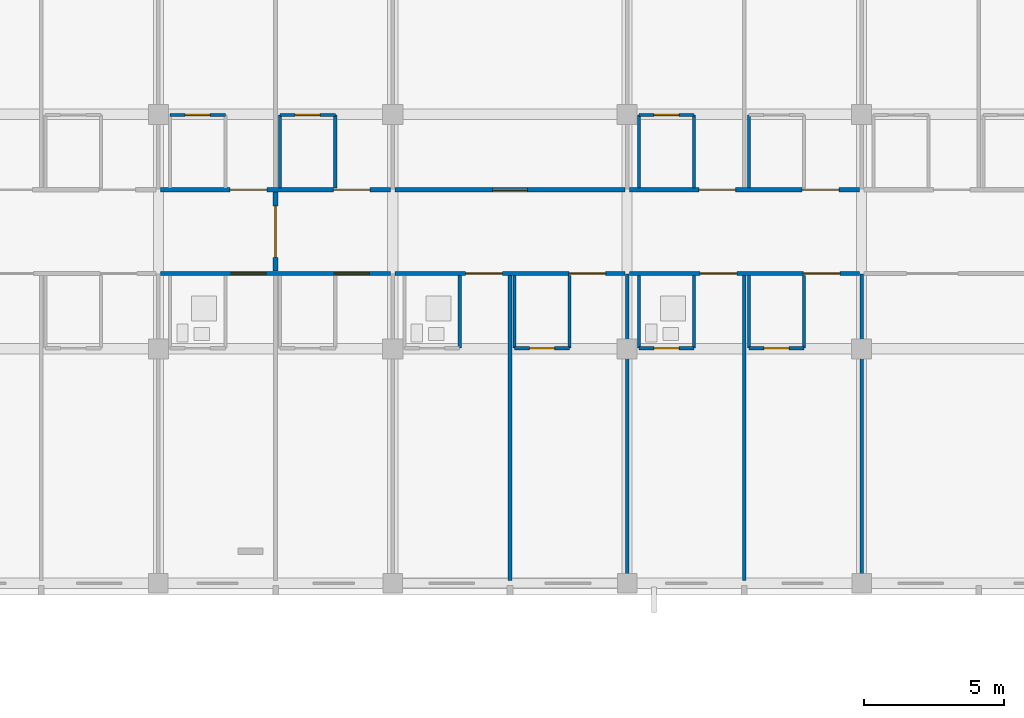
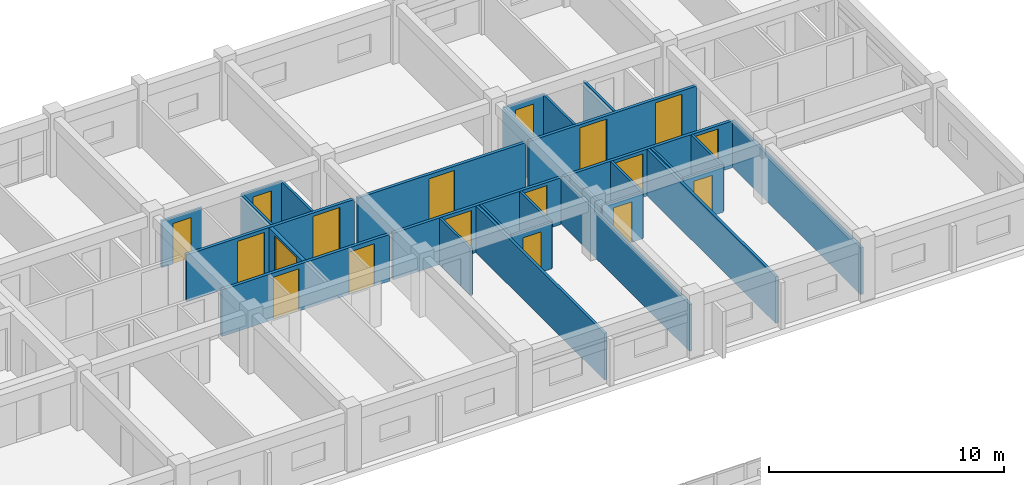
# One storey, part 129 of 148: 29 walls, 18 doors, 18 openings.
"""IFC4 building model written with IfcOpenShell, lengths in metres."""

from ifc_helpers import new_model, si_unit, direction, frame, frame_2d, origin, place, context, subcontext, project, spatial, rectangle, extrude, material, layer, layer_set, type_object, element, fill, save


model = new_model("IFC4")

# Units and contexts
model_context = context("Model", 3, precision=1e-05, world=origin(), true_north=direction((0.0, 1.0)))
body_context = subcontext(model_context, "Body", "Model", "MODEL_VIEW")
ifc_project = project(units=[si_unit("LENGTHUNIT", "METRE"), si_unit("AREAUNIT", "SQUARE_METRE"), si_unit("VOLUMEUNIT", "CUBIC_METRE"), si_unit("PLANEANGLEUNIT", "RADIAN"), si_unit("MASSUNIT", "GRAM", prefix="KILO")], contexts=[model_context])

# Site, building, storey
site_placement = place(None, origin())
site = spatial("IfcSite", under=ifc_project, at=site_placement, CompositionType="ELEMENT")
building_placement = place(site_placement, origin())
building = spatial("IfcBuilding", under=site, at=building_placement, Name="Trelvath General Hospital", CompositionType="ELEMENT")
storey_placement = place(building_placement, frame((0.0, 0.0, 12.89990234375)))
storey = spatial("IfcBuildingStorey", under=building, at=storey_placement, Name="L03", CompositionType="ELEMENT", Elevation=12.89990234375)

# Wall, openings, doors
ifc_material_1 = material(Name="Gypsum acoustic steel-stud partition", Category="steel")
ifc_layer_1 = layer(ifc_material_1, 0.14990234375)
ifc_layer_set_1 = layer_set([ifc_layer_1], Name="Gypsum acoustic steel-stud partition")
wall_type_1 = type_object("IfcWallType", Name="ClinicalPartition 150", PredefinedType="PARTITIONING", material=ifc_layer_set_1)
wall_1_placement = place(storey_placement, frame((100.8798828125, 103.5, 0.0), z_axis=(0.0, 0.0, 1.0), x_axis=(1.0, 0.0, 0.0)))
wall_1 = element("IfcWall", 1, at=wall_1_placement, inside=storey, type_object=wall_type_1, Name="Corridor Partition L03-1340", PredefinedType="PARTITIONING", context=body_context, shape_type="SweptSolid", body=[
    extrude(rectangle(XDim=8.240234375, YDim=0.14990234375, at=frame_2d((4.1201171875, 0.0))), origin(), (0.0, 0.0, 1.0), 2.420166015625),
])
opening_1_placement = place(wall_1_placement, frame((2.530029296875, 0.0, 0.0)))
opening_1 = element("IfcOpeningElement", 2, at=opening_1_placement, cuts=wall_1, Name="Opening D-3-0956", PredefinedType="OPENING", context=body_context, shape_type="SweptSolid", body=[
    extrude(rectangle(XDim=1.25, YDim=2.199951171875, at=frame_2d((0.625, 1.10009765625))), frame((0.0, 0.0849609375, 0.0), z_axis=(0.0, -1.0, 0.0), x_axis=(1.0, 0.0, 0.0)), (0.0, 0.0, 1.0), 0.169921875),
])
opening_2_placement = place(wall_1_placement, frame((6.22998046875, 0.0, 0.0)))
opening_2 = element("IfcOpeningElement", 3, at=opening_2_placement, cuts=wall_1, Name="Opening D-3-0957", PredefinedType="OPENING", context=body_context, shape_type="SweptSolid", body=[
    extrude(rectangle(XDim=1.25, YDim=2.199951171875, at=frame_2d((0.625, 1.10009765625))), frame((0.0, 0.0849609375, 0.0), z_axis=(0.0, -1.0, 0.0), x_axis=(1.0, 0.0, 0.0)), (0.0, 0.0, 1.0), 0.169921875),
])
ifc_material_2 = material(Name="Acoustic hospital timber leaf", Category="wood")
door_type_1 = type_object("IfcDoorType", Name="Door Treatment 1250x2200", OperationType="NOTDEFINED", PredefinedType="DOOR", material=ifc_material_2)
door_1_placement = place(opening_1_placement, origin())
door_1 = element("IfcDoor", 4, at=door_1_placement, inside=storey, type_object=door_type_1, Name="Patient Room Door L03-956", OperationType="SINGLE_SWING_LEFT", OverallHeight=2.199951171875, OverallWidth=1.25, PredefinedType="DOOR", context=body_context, shape_type="SweptSolid", body=[
    extrude(rectangle(XDim=1.25, YDim=2.199951171875, at=frame_2d((0.625, 1.10009765625))), frame((0.0, 0.02490234375, 0.0), z_axis=(0.0, -1.0, 0.0), x_axis=(1.0, 0.0, 0.0)), (0.0, 0.0, 1.0), 0.050048828125),
])
fill(opening_1, door_1)
door_2_placement = place(opening_2_placement, origin())
door_2 = element("IfcDoor", 5, at=door_2_placement, inside=storey, type_object=door_type_1, Name="Patient Room Door L03-957", OperationType="SINGLE_SWING_RIGHT", OverallHeight=2.199951171875, OverallWidth=1.25, PredefinedType="DOOR", context=body_context, shape_type="SweptSolid", body=[
    extrude(rectangle(XDim=1.25, YDim=2.199951171875, at=frame_2d((0.625, 1.10009765625))), frame((0.0, 0.02490234375, 0.0), z_axis=(0.0, -1.0, 0.0), x_axis=(1.0, 0.0, 0.0)), (0.0, 0.0, 1.0), 0.050048828125),
])
fill(opening_2, door_2)

wall_2_placement = place(storey_placement, frame((109.1201171875, 106.5, 0.0), z_axis=(0.0, 0.0, 1.0), x_axis=(-1.0, 0.0, 0.0)))
wall_2 = element("IfcWall", 6, at=wall_2_placement, inside=storey, type_object=wall_type_1, Name="Corridor Partition N L03-1349", PredefinedType="PARTITIONING", context=body_context, shape_type="SweptSolid", body=[
    extrude(rectangle(XDim=8.240234375, YDim=0.14990234375, at=frame_2d((4.1201171875, 0.0))), origin(), (0.0, 0.0, 1.0), 2.420166015625),
])
opening_3_placement = place(wall_2_placement, frame((0.72998046875, 0.0, 0.0)))
opening_3 = element("IfcOpeningElement", 7, at=opening_3_placement, cuts=wall_2, Name="Opening D-3-0960", PredefinedType="OPENING", context=body_context, shape_type="SweptSolid", body=[
    extrude(rectangle(XDim=1.320068359375, YDim=2.25, at=frame_2d((0.66015625, 1.125))), frame((0.0, 0.0849609375, 0.0), z_axis=(0.0, -1.0, 0.0), x_axis=(1.0, 0.0, 0.0)), (0.0, 0.0, 1.0), 0.169921875),
])
opening_4_placement = place(wall_2_placement, frame((4.429931640625, 0.0, 0.0)))
opening_4 = element("IfcOpeningElement", 8, at=opening_4_placement, cuts=wall_2, Name="Opening D-3-0961", PredefinedType="OPENING", context=body_context, shape_type="SweptSolid", body=[
    extrude(rectangle(XDim=1.320068359375, YDim=2.25, at=frame_2d((0.66015625, 1.125))), frame((0.0, 0.0849609375, 0.0), z_axis=(0.0, -1.0, 0.0), x_axis=(1.0, 0.0, 0.0)), (0.0, 0.0, 1.0), 0.169921875),
])
ifc_material_3 = material(Name="Maternity bed-leaf timber door", Category="wood")
door_type_2 = type_object("IfcDoorType", Name="Door PatientMaternity 1320x2250", OperationType="NOTDEFINED", PredefinedType="DOOR", material=ifc_material_3)
door_3_placement = place(opening_3_placement, origin())
door_3 = element("IfcDoor", 9, at=door_3_placement, inside=storey, type_object=door_type_2, Name="Patient Room Door N L03-960", OperationType="SINGLE_SWING_LEFT", OverallHeight=2.25, OverallWidth=1.320068359375, PredefinedType="DOOR", context=body_context, shape_type="SweptSolid", body=[
    extrude(rectangle(XDim=1.320068359375, YDim=2.25, at=frame_2d((0.66015625, 1.125))), frame((0.0, 0.02490234375, 0.0), z_axis=(0.0, -1.0, 0.0), x_axis=(1.0, 0.0, 0.0)), (0.0, 0.0, 1.0), 0.050048828125),
])
fill(opening_3, door_3)
door_4_placement = place(opening_4_placement, origin())
door_4 = element("IfcDoor", 10, at=door_4_placement, inside=storey, type_object=door_type_2, Name="Patient Room Door N L03-961", OperationType="SINGLE_SWING_LEFT", OverallHeight=2.25, OverallWidth=1.320068359375, PredefinedType="DOOR", context=body_context, shape_type="SweptSolid", body=[
    extrude(rectangle(XDim=1.320068359375, YDim=2.25, at=frame_2d((0.66015625, 1.125))), frame((0.0, 0.02490234375, 0.0), z_axis=(0.0, -1.0, 0.0), x_axis=(1.0, 0.0, 0.0)), (0.0, 0.0, 1.0), 0.050048828125),
])
fill(opening_4, door_4)

wall_3_placement = place(storey_placement, frame((109.280029296875, 103.5, 0.0), z_axis=(0.0, 0.0, 1.0), x_axis=(1.0, 0.0, 0.0)))
wall_3 = element("IfcWall", 11, at=wall_3_placement, inside=storey, type_object=wall_type_1, Name="Corridor Partition L03-1360", PredefinedType="PARTITIONING", context=body_context, shape_type="SweptSolid", body=[
    extrude(rectangle(XDim=8.239990234375, YDim=0.14990234375, at=frame_2d((4.1201171875, 0.0))), origin(), (0.0, 0.0, 1.0), 2.420166015625),
])
opening_5_placement = place(wall_3_placement, frame((2.530029296875, 0.0, 0.0)))
opening_5 = element("IfcOpeningElement", 12, at=opening_5_placement, cuts=wall_3, Name="Opening D-3-0965", PredefinedType="OPENING", context=body_context, shape_type="SweptSolid", body=[
    extrude(rectangle(XDim=1.320068359375, YDim=2.25, at=frame_2d((0.66015625, 1.125))), frame((0.0, 0.0849609375, 0.0), z_axis=(0.0, -1.0, 0.0), x_axis=(1.0, 0.0, 0.0)), (0.0, 0.0, 1.0), 0.169921875),
])
opening_6_placement = place(wall_3_placement, frame((6.22998046875, 0.0, 0.0)))
opening_6 = element("IfcOpeningElement", 13, at=opening_6_placement, cuts=wall_3, Name="Opening D-3-0966", PredefinedType="OPENING", context=body_context, shape_type="SweptSolid", body=[
    extrude(rectangle(XDim=1.320068359375, YDim=2.25, at=frame_2d((0.66015625, 1.125))), frame((0.0, 0.0849609375, 0.0), z_axis=(0.0, -1.0, 0.0), x_axis=(1.0, 0.0, 0.0)), (0.0, 0.0, 1.0), 0.169921875),
])
door_5_placement = place(opening_5_placement, origin())
door_5 = element("IfcDoor", 14, at=door_5_placement, inside=storey, type_object=door_type_2, Name="Patient Room Door L03-965", OperationType="SINGLE_SWING_RIGHT", OverallHeight=2.25, OverallWidth=1.320068359375, PredefinedType="DOOR", context=body_context, shape_type="SweptSolid", body=[
    extrude(rectangle(XDim=1.320068359375, YDim=2.25, at=frame_2d((0.66015625, 1.125))), frame((0.0, 0.02490234375, 0.0), z_axis=(0.0, -1.0, 0.0), x_axis=(1.0, 0.0, 0.0)), (0.0, 0.0, 1.0), 0.050048828125),
])
fill(opening_5, door_5)
door_6_placement = place(opening_6_placement, origin())
door_6 = element("IfcDoor", 15, at=door_6_placement, inside=storey, type_object=door_type_2, Name="Patient Room Door L03-966", OperationType="SINGLE_SWING_LEFT", OverallHeight=2.25, OverallWidth=1.320068359375, PredefinedType="DOOR", context=body_context, shape_type="SweptSolid", body=[
    extrude(rectangle(XDim=1.320068359375, YDim=2.25, at=frame_2d((0.66015625, 1.125))), frame((0.0, 0.02490234375, 0.0), z_axis=(0.0, -1.0, 0.0), x_axis=(1.0, 0.0, 0.0)), (0.0, 0.0, 1.0), 0.050048828125),
])
fill(opening_6, door_6)

# Wall, opening, door
wall_4_placement = place(storey_placement, frame((117.52001953125, 106.5, 0.0), z_axis=(0.0, 0.0, 1.0), x_axis=(-1.0, 0.0, 0.0)))
wall_4 = element("IfcWall", 16, at=wall_4_placement, inside=storey, type_object=wall_type_1, Name="Corridor Partition N L03-1368", PredefinedType="PARTITIONING", context=body_context, shape_type="SweptSolid", body=[
    extrude(rectangle(XDim=8.239990234375, YDim=0.14990234375, at=frame_2d((4.1201171875, 0.0))), origin(), (0.0, 0.0, 1.0), 2.420166015625),
])
opening_7_placement = place(wall_4_placement, frame((3.4951171875, 0.0, 0.0)))
opening_7 = element("IfcOpeningElement", 17, at=opening_7_placement, cuts=wall_4, Name="Opening D-3-0969", PredefinedType="OPENING", context=body_context, shape_type="SweptSolid", body=[
    extrude(rectangle(XDim=1.25, YDim=2.199951171875, at=frame_2d((0.625, 1.10009765625))), frame((0.0, 0.0849609375, 0.0), z_axis=(0.0, -1.0, 0.0), x_axis=(1.0, 0.0, 0.0)), (0.0, 0.0, 1.0), 0.169921875),
])
door_7_placement = place(opening_7_placement, origin())
door_7 = element("IfcDoor", 18, at=door_7_placement, inside=storey, type_object=door_type_1, Name="Clinical Room Door L03-969", OperationType="SINGLE_SWING_RIGHT", OverallHeight=2.199951171875, OverallWidth=1.25, PredefinedType="DOOR", context=body_context, shape_type="SweptSolid", body=[
    extrude(rectangle(XDim=1.25, YDim=2.199951171875, at=frame_2d((0.625, 1.10009765625))), frame((0.0, 0.02490234375, 0.0), z_axis=(0.0, -1.0, 0.0), x_axis=(1.0, 0.0, 0.0)), (0.0, 0.0, 1.0), 0.050048828125),
])
fill(opening_7, door_7)

# Wall, openings, doors
wall_5_placement = place(storey_placement, frame((117.679931640625, 103.5, 0.0), z_axis=(0.0, 0.0, 1.0), x_axis=(1.0, 0.0, 0.0)))
wall_5 = element("IfcWall", 19, at=wall_5_placement, inside=storey, type_object=wall_type_1, Name="Corridor Partition L03-1371", PredefinedType="PARTITIONING", context=body_context, shape_type="SweptSolid", body=[
    extrude(rectangle(XDim=8.239990234375, YDim=0.14990234375, at=frame_2d((4.1201171875, 0.0))), origin(), (0.0, 0.0, 1.0), 2.420166015625),
])
opening_8_placement = place(wall_5_placement, frame((2.530029296875, 0.0, 0.0)))
opening_8 = element("IfcOpeningElement", 20, at=opening_8_placement, cuts=wall_5, Name="Opening D-3-0970", PredefinedType="OPENING", context=body_context, shape_type="SweptSolid", body=[
    extrude(rectangle(XDim=1.320068359375, YDim=2.25, at=frame_2d((0.66015625, 1.125))), frame((0.0, 0.0849609375, 0.0), z_axis=(0.0, -1.0, 0.0), x_axis=(1.0, 0.0, 0.0)), (0.0, 0.0, 1.0), 0.169921875),
])
opening_9_placement = place(wall_5_placement, frame((6.22998046875, 0.0, 0.0)))
opening_9 = element("IfcOpeningElement", 21, at=opening_9_placement, cuts=wall_5, Name="Opening D-3-0971", PredefinedType="OPENING", context=body_context, shape_type="SweptSolid", body=[
    extrude(rectangle(XDim=1.320068359375, YDim=2.25, at=frame_2d((0.66015625, 1.125))), frame((0.0, 0.0849609375, 0.0), z_axis=(0.0, -1.0, 0.0), x_axis=(1.0, 0.0, 0.0)), (0.0, 0.0, 1.0), 0.169921875),
])
door_8_placement = place(opening_8_placement, origin())
door_8 = element("IfcDoor", 22, at=door_8_placement, inside=storey, type_object=door_type_2, Name="Patient Room Door L03-970", OperationType="SINGLE_SWING_LEFT", OverallHeight=2.25, OverallWidth=1.320068359375, PredefinedType="DOOR", context=body_context, shape_type="SweptSolid", body=[
    extrude(rectangle(XDim=1.320068359375, YDim=2.25, at=frame_2d((0.66015625, 1.125))), frame((0.0, 0.02490234375, 0.0), z_axis=(0.0, -1.0, 0.0), x_axis=(1.0, 0.0, 0.0)), (0.0, 0.0, 1.0), 0.050048828125),
])
fill(opening_8, door_8)
door_9_placement = place(opening_9_placement, origin())
door_9 = element("IfcDoor", 23, at=door_9_placement, inside=storey, type_object=door_type_2, Name="Patient Room Door L03-971", OperationType="SINGLE_SWING_RIGHT", OverallHeight=2.25, OverallWidth=1.320068359375, PredefinedType="DOOR", context=body_context, shape_type="SweptSolid", body=[
    extrude(rectangle(XDim=1.320068359375, YDim=2.25, at=frame_2d((0.66015625, 1.125))), frame((0.0, 0.02490234375, 0.0), z_axis=(0.0, -1.0, 0.0), x_axis=(1.0, 0.0, 0.0)), (0.0, 0.0, 1.0), 0.050048828125),
])
fill(opening_9, door_9)

wall_6_placement = place(storey_placement, frame((125.919921875, 106.5, 0.0), z_axis=(0.0, 0.0, 1.0), x_axis=(-1.0, 0.0, 0.0)))
wall_6 = element("IfcWall", 24, at=wall_6_placement, inside=storey, type_object=wall_type_1, Name="Corridor Partition N L03-1379", PredefinedType="PARTITIONING", context=body_context, shape_type="SweptSolid", body=[
    extrude(rectangle(XDim=8.239990234375, YDim=0.14990234375, at=frame_2d((4.1201171875, 0.0))), origin(), (0.0, 0.0, 1.0), 2.420166015625),
])
opening_10_placement = place(wall_6_placement, frame((0.72998046875, 0.0, 0.0)))
opening_10 = element("IfcOpeningElement", 25, at=opening_10_placement, cuts=wall_6, Name="Opening D-3-0974", PredefinedType="OPENING", context=body_context, shape_type="SweptSolid", body=[
    extrude(rectangle(XDim=1.320068359375, YDim=2.25, at=frame_2d((0.66015625, 1.125))), frame((0.0, 0.0849609375, 0.0), z_axis=(0.0, -1.0, 0.0), x_axis=(1.0, 0.0, 0.0)), (0.0, 0.0, 1.0), 0.169921875),
])
opening_11_placement = place(wall_6_placement, frame((4.429931640625, 0.0, 0.0)))
opening_11 = element("IfcOpeningElement", 26, at=opening_11_placement, cuts=wall_6, Name="Opening D-3-0975", PredefinedType="OPENING", context=body_context, shape_type="SweptSolid", body=[
    extrude(rectangle(XDim=1.320068359375, YDim=2.25, at=frame_2d((0.66015625, 1.125))), frame((0.0, 0.0849609375, 0.0), z_axis=(0.0, -1.0, 0.0), x_axis=(1.0, 0.0, 0.0)), (0.0, 0.0, 1.0), 0.169921875),
])
door_10_placement = place(opening_10_placement, origin())
door_10 = element("IfcDoor", 27, at=door_10_placement, inside=storey, type_object=door_type_2, Name="Patient Room Door N L03-974", OperationType="SINGLE_SWING_LEFT", OverallHeight=2.25, OverallWidth=1.320068359375, PredefinedType="DOOR", context=body_context, shape_type="SweptSolid", body=[
    extrude(rectangle(XDim=1.320068359375, YDim=2.25, at=frame_2d((0.66015625, 1.125))), frame((0.0, 0.02490234375, 0.0), z_axis=(0.0, -1.0, 0.0), x_axis=(1.0, 0.0, 0.0)), (0.0, 0.0, 1.0), 0.050048828125),
])
fill(opening_10, door_10)
door_11_placement = place(opening_11_placement, origin())
door_11 = element("IfcDoor", 28, at=door_11_placement, inside=storey, type_object=door_type_2, Name="Patient Room Door N L03-975", OperationType="SINGLE_SWING_LEFT", OverallHeight=2.25, OverallWidth=1.320068359375, PredefinedType="DOOR", context=body_context, shape_type="SweptSolid", body=[
    extrude(rectangle(XDim=1.320068359375, YDim=2.25, at=frame_2d((0.66015625, 1.125))), frame((0.0, 0.02490234375, 0.0), z_axis=(0.0, -1.0, 0.0), x_axis=(1.0, 0.0, 0.0)), (0.0, 0.0, 1.0), 0.050048828125),
])
fill(opening_11, door_11)

# Wall, opening, door
ifc_material_4 = material(Name="Moisture-resistant tile partition")
ifc_layer_2 = layer(ifc_material_4, 0.110107421875)
ifc_layer_set_2 = layer_set([ifc_layer_2], Name="Moisture-resistant tile partition")
wall_type_2 = type_object("IfcWallType", Name="EnSuiteWetWall 110", PredefinedType="PARTITIONING", material=ifc_layer_set_2)
wall_7_placement = place(storey_placement, frame((101.219970703125, 109.179931640625, 0.0), z_axis=(0.0, 0.0, 1.0), x_axis=(1.0, 0.0, 0.0)))
wall_7 = element("IfcWall", 29, at=wall_7_placement, inside=storey, type_object=wall_type_2, Name="En-Suite Bathroom N Partition L03-1353", PredefinedType="PARTITIONING", context=body_context, shape_type="SweptSolid", body=[
    extrude(rectangle(XDim=1.97998046875, YDim=0.110107421875, at=frame_2d((0.989990234375, 0.0))), origin(), (0.0, 0.0, 1.0), 2.420166015625),
])
opening_12_placement = place(wall_7_placement, frame((0.5400390625, 0.0, 0.0)))
opening_12 = element("IfcOpeningElement", 30, at=opening_12_placement, cuts=wall_7, Name="Opening D-3-0962", PredefinedType="OPENING", context=body_context, shape_type="SweptSolid", body=[
    extrude(rectangle(XDim=0.89990234375, YDim=2.10009765625, at=frame_2d((0.449951171875, 1.050048828125))), frame((0.0, 0.06494140625, 0.0), z_axis=(0.0, -1.0, 0.0), x_axis=(1.0, 0.0, 0.0)), (0.0, 0.0, 1.0), 0.130126953125),
])
ifc_material_5 = material(Name="Moisture-sealed timber leaf", Category="wood")
door_type_3 = type_object("IfcDoorType", Name="Door EnSuite 900x2100", OperationType="NOTDEFINED", PredefinedType="DOOR", material=ifc_material_5)
door_12_placement = place(opening_12_placement, origin())
door_12 = element("IfcDoor", 31, at=door_12_placement, inside=storey, type_object=door_type_3, Name="En-Suite Bathroom N Door L03-962", OperationType="SINGLE_SWING_RIGHT", OverallHeight=2.10009765625, OverallWidth=0.89990234375, PredefinedType="DOOR", context=body_context, shape_type="SweptSolid", body=[
    extrude(rectangle(XDim=0.89990234375, YDim=2.10009765625, at=frame_2d((0.449951171875, 1.050048828125))), frame((0.0, 0.02490234375, 0.0), z_axis=(0.0, -1.0, 0.0), x_axis=(1.0, 0.0, 0.0)), (0.0, 0.0, 1.0), 0.050048828125),
])
fill(opening_12, door_12)

# Walls
for number, where, z_axis, x_axis, name in (
    (32, (105.159912109375, 106.570068359375, 0.0), (0.0, 0.0, 1.0), (0.0, 1.0, 0.0), "En-Suite W Wall N L03-1354"),
    (33, (107.139892578125, 106.570068359375, 0.0), (0.0, 0.0, 1.0), (0.0, 1.0, 0.0), "En-Suite E Wall N L03-1355"),
):
    element("IfcWall", number, at=place(storey_placement, frame(where, z_axis=z_axis, x_axis=x_axis)), inside=storey, type_object=wall_type_2, Name=name, PredefinedType="PARTITIONING", context=body_context, shape_type="SweptSolid", body=[
        extrude(rectangle(XDim=2.60986328125, YDim=0.110107421875, at=frame_2d((1.304931640625, 0.0))), origin(), (0.0, 0.0, 1.0), 2.420166015625),
    ])

# Wall, opening, door
wall_8_placement = place(storey_placement, frame((105.159912109375, 109.179931640625, 0.0), z_axis=(0.0, 0.0, 1.0), x_axis=(1.0, 0.0, 0.0)))
wall_8 = element("IfcWall", 34, at=wall_8_placement, inside=storey, type_object=wall_type_2, Name="En-Suite Bathroom N Partition L03-1356", PredefinedType="PARTITIONING", context=body_context, shape_type="SweptSolid", body=[
    extrude(rectangle(XDim=1.97998046875, YDim=0.110107421875, at=frame_2d((0.989990234375, 0.0))), origin(), (0.0, 0.0, 1.0), 2.420166015625),
])
opening_13_placement = place(wall_8_placement, frame((0.5400390625, 0.0, 0.0)))
opening_13 = element("IfcOpeningElement", 35, at=opening_13_placement, cuts=wall_8, Name="Opening D-3-0963", PredefinedType="OPENING", context=body_context, shape_type="SweptSolid", body=[
    extrude(rectangle(XDim=0.89990234375, YDim=2.10009765625, at=frame_2d((0.449951171875, 1.050048828125))), frame((0.0, 0.06494140625, 0.0), z_axis=(0.0, -1.0, 0.0), x_axis=(1.0, 0.0, 0.0)), (0.0, 0.0, 1.0), 0.130126953125),
])
door_13_placement = place(opening_13_placement, origin())
door_13 = element("IfcDoor", 36, at=door_13_placement, inside=storey, type_object=door_type_3, Name="En-Suite Bathroom N Door L03-963", OperationType="SINGLE_SWING_LEFT", OverallHeight=2.10009765625, OverallWidth=0.89990234375, PredefinedType="DOOR", context=body_context, shape_type="SweptSolid", body=[
    extrude(rectangle(XDim=0.89990234375, YDim=2.10009765625, at=frame_2d((0.449951171875, 1.050048828125))), frame((0.0, 0.02490234375, 0.0), z_axis=(0.0, -1.0, 0.0), x_axis=(1.0, 0.0, 0.0)), (0.0, 0.0, 1.0), 0.050048828125),
])
fill(opening_13, door_13)

# Walls
for number, where, z_axis, x_axis, name in (
    (37, (111.60009765625, 100.820068359375, 0.0), (0.0, 0.0, 1.0), (0.0, 1.0, 0.0), "En-Suite E Wall L03-1363"),
    (38, (113.56005859375, 100.820068359375, 0.0), (0.0, 0.0, 1.0), (0.0, 1.0, 0.0), "En-Suite W Wall L03-1365"),
    (39, (115.5400390625, 100.820068359375, 0.0), (0.0, 0.0, 1.0), (0.0, 1.0, 0.0), "En-Suite E Wall L03-1366"),
):
    element("IfcWall", number, at=place(storey_placement, frame(where, z_axis=z_axis, x_axis=x_axis)), inside=storey, type_object=wall_type_2, Name=name, PredefinedType="PARTITIONING", context=body_context, shape_type="SweptSolid", body=[
        extrude(rectangle(XDim=2.60986328125, YDim=0.110107421875, at=frame_2d((1.304931640625, 0.0))), origin(), (0.0, 0.0, 1.0), 2.420166015625),
    ])

# Wall, opening, door
wall_9_placement = place(storey_placement, frame((113.56005859375, 100.820068359375, 0.0), z_axis=(0.0, 0.0, 1.0), x_axis=(1.0, 0.0, 0.0)))
wall_9 = element("IfcWall", 40, at=wall_9_placement, inside=storey, type_object=wall_type_2, Name="En-Suite Bathroom Partition L03-1367", PredefinedType="PARTITIONING", context=body_context, shape_type="SweptSolid", body=[
    extrude(rectangle(XDim=1.97998046875, YDim=0.110107421875, at=frame_2d((0.989990234375, 0.0))), origin(), (0.0, 0.0, 1.0), 2.420166015625),
])
opening_14_placement = place(wall_9_placement, frame((0.5400390625, 0.0, 0.0)))
opening_14 = element("IfcOpeningElement", 41, at=opening_14_placement, cuts=wall_9, Name="Opening D-3-0968", PredefinedType="OPENING", context=body_context, shape_type="SweptSolid", body=[
    extrude(rectangle(XDim=0.89990234375, YDim=2.10009765625, at=frame_2d((0.449951171875, 1.050048828125))), frame((0.0, 0.06494140625, 0.0), z_axis=(0.0, -1.0, 0.0), x_axis=(1.0, 0.0, 0.0)), (0.0, 0.0, 1.0), 0.130126953125),
])
door_14_placement = place(opening_14_placement, origin())
door_14 = element("IfcDoor", 42, at=door_14_placement, inside=storey, type_object=door_type_3, Name="En-Suite Bathroom Door L03-968", OperationType="SINGLE_SWING_LEFT", OverallHeight=2.10009765625, OverallWidth=0.89990234375, PredefinedType="DOOR", context=body_context, shape_type="SweptSolid", body=[
    extrude(rectangle(XDim=0.89990234375, YDim=2.10009765625, at=frame_2d((0.449951171875, 1.050048828125))), frame((0.0, 0.02490234375, 0.0), z_axis=(0.0, -1.0, 0.0), x_axis=(1.0, 0.0, 0.0)), (0.0, 0.0, 1.0), 0.050048828125),
])
fill(opening_14, door_14)

# Walls
for number, where, z_axis, x_axis, name in (
    (43, (118.02001953125, 100.820068359375, 0.0), (0.0, 0.0, 1.0), (0.0, 1.0, 0.0), "En-Suite W Wall L03-1373"),
    (44, (120.0, 100.820068359375, 0.0), (0.0, 0.0, 1.0), (0.0, 1.0, 0.0), "En-Suite E Wall L03-1374"),
):
    element("IfcWall", number, at=place(storey_placement, frame(where, z_axis=z_axis, x_axis=x_axis)), inside=storey, type_object=wall_type_2, Name=name, PredefinedType="PARTITIONING", context=body_context, shape_type="SweptSolid", body=[
        extrude(rectangle(XDim=2.60986328125, YDim=0.110107421875, at=frame_2d((1.304931640625, 0.0))), origin(), (0.0, 0.0, 1.0), 2.420166015625),
    ])

# Wall, opening, door
wall_10_placement = place(storey_placement, frame((118.02001953125, 100.820068359375, 0.0), z_axis=(0.0, 0.0, 1.0), x_axis=(1.0, 0.0, 0.0)))
wall_10 = element("IfcWall", 45, at=wall_10_placement, inside=storey, type_object=wall_type_2, Name="En-Suite Bathroom Partition L03-1375", PredefinedType="PARTITIONING", context=body_context, shape_type="SweptSolid", body=[
    extrude(rectangle(XDim=1.97998046875, YDim=0.110107421875, at=frame_2d((0.989990234375, 0.0))), origin(), (0.0, 0.0, 1.0), 2.420166015625),
])
opening_15_placement = place(wall_10_placement, frame((0.5400390625, 0.0, 0.0)))
opening_15 = element("IfcOpeningElement", 46, at=opening_15_placement, cuts=wall_10, Name="Opening D-3-0972", PredefinedType="OPENING", context=body_context, shape_type="SweptSolid", body=[
    extrude(rectangle(XDim=0.89990234375, YDim=2.10009765625, at=frame_2d((0.449951171875, 1.050048828125))), frame((0.0, 0.06494140625, 0.0), z_axis=(0.0, -1.0, 0.0), x_axis=(1.0, 0.0, 0.0)), (0.0, 0.0, 1.0), 0.130126953125),
])
door_15_placement = place(opening_15_placement, origin())
door_15 = element("IfcDoor", 47, at=door_15_placement, inside=storey, type_object=door_type_3, Name="En-Suite Bathroom Door L03-972", OperationType="SINGLE_SWING_LEFT", OverallHeight=2.10009765625, OverallWidth=0.89990234375, PredefinedType="DOOR", context=body_context, shape_type="SweptSolid", body=[
    extrude(rectangle(XDim=0.89990234375, YDim=2.10009765625, at=frame_2d((0.449951171875, 1.050048828125))), frame((0.0, 0.02490234375, 0.0), z_axis=(0.0, -1.0, 0.0), x_axis=(1.0, 0.0, 0.0)), (0.0, 0.0, 1.0), 0.050048828125),
])
fill(opening_15, door_15)

# Walls
for number, where, z_axis, x_axis, name in (
    (48, (121.9599609375, 100.820068359375, 0.0), (0.0, 0.0, 1.0), (0.0, 1.0, 0.0), "En-Suite W Wall L03-1376"),
    (49, (123.93994140625, 100.820068359375, 0.0), (0.0, 0.0, 1.0), (0.0, 1.0, 0.0), "En-Suite E Wall L03-1377"),
):
    element("IfcWall", number, at=place(storey_placement, frame(where, z_axis=z_axis, x_axis=x_axis)), inside=storey, type_object=wall_type_2, Name=name, PredefinedType="PARTITIONING", context=body_context, shape_type="SweptSolid", body=[
        extrude(rectangle(XDim=2.60986328125, YDim=0.110107421875, at=frame_2d((1.304931640625, 0.0))), origin(), (0.0, 0.0, 1.0), 2.420166015625),
    ])

# Wall, opening, door
wall_11_placement = place(storey_placement, frame((121.9599609375, 100.820068359375, 0.0), z_axis=(0.0, 0.0, 1.0), x_axis=(1.0, 0.0, 0.0)))
wall_11 = element("IfcWall", 50, at=wall_11_placement, inside=storey, type_object=wall_type_2, Name="En-Suite Bathroom Partition L03-1378", PredefinedType="PARTITIONING", context=body_context, shape_type="SweptSolid", body=[
    extrude(rectangle(XDim=1.97998046875, YDim=0.110107421875, at=frame_2d((0.989990234375, 0.0))), origin(), (0.0, 0.0, 1.0), 2.420166015625),
])
opening_16_placement = place(wall_11_placement, frame((0.5400390625, 0.0, 0.0)))
opening_16 = element("IfcOpeningElement", 51, at=opening_16_placement, cuts=wall_11, Name="Opening D-3-0973", PredefinedType="OPENING", context=body_context, shape_type="SweptSolid", body=[
    extrude(rectangle(XDim=0.89990234375, YDim=2.10009765625, at=frame_2d((0.449951171875, 1.050048828125))), frame((0.0, 0.06494140625, 0.0), z_axis=(0.0, -1.0, 0.0), x_axis=(1.0, 0.0, 0.0)), (0.0, 0.0, 1.0), 0.130126953125),
])
door_16_placement = place(opening_16_placement, origin())
door_16 = element("IfcDoor", 52, at=door_16_placement, inside=storey, type_object=door_type_3, Name="En-Suite Bathroom Door L03-973", OperationType="SINGLE_SWING_RIGHT", OverallHeight=2.10009765625, OverallWidth=0.89990234375, PredefinedType="DOOR", context=body_context, shape_type="SweptSolid", body=[
    extrude(rectangle(XDim=0.89990234375, YDim=2.10009765625, at=frame_2d((0.449951171875, 1.050048828125))), frame((0.0, 0.02490234375, 0.0), z_axis=(0.0, -1.0, 0.0), x_axis=(1.0, 0.0, 0.0)), (0.0, 0.0, 1.0), 0.050048828125),
])
fill(opening_16, door_16)

# Walls
for number, where, z_axis, x_axis, name in (
    (53, (118.02001953125, 106.570068359375, 0.0), (0.0, 0.0, 1.0), (0.0, 1.0, 0.0), "En-Suite W Wall N L03-1381"),
    (54, (120.0, 106.570068359375, 0.0), (0.0, 0.0, 1.0), (0.0, 1.0, 0.0), "En-Suite E Wall N L03-1382"),
):
    element("IfcWall", number, at=place(storey_placement, frame(where, z_axis=z_axis, x_axis=x_axis)), inside=storey, type_object=wall_type_2, Name=name, PredefinedType="PARTITIONING", context=body_context, shape_type="SweptSolid", body=[
        extrude(rectangle(XDim=2.60986328125, YDim=0.110107421875, at=frame_2d((1.304931640625, 0.0))), origin(), (0.0, 0.0, 1.0), 2.420166015625),
    ])

# Wall, opening, door
wall_12_placement = place(storey_placement, frame((118.02001953125, 109.179931640625, 0.0), z_axis=(0.0, 0.0, 1.0), x_axis=(1.0, 0.0, 0.0)))
wall_12 = element("IfcWall", 55, at=wall_12_placement, inside=storey, type_object=wall_type_2, Name="En-Suite Bathroom N Partition L03-1383", PredefinedType="PARTITIONING", context=body_context, shape_type="SweptSolid", body=[
    extrude(rectangle(XDim=1.97998046875, YDim=0.110107421875, at=frame_2d((0.989990234375, 0.0))), origin(), (0.0, 0.0, 1.0), 2.420166015625),
])
opening_17_placement = place(wall_12_placement, frame((0.5400390625, 0.0, 0.0)))
opening_17 = element("IfcOpeningElement", 56, at=opening_17_placement, cuts=wall_12, Name="Opening D-3-0976", PredefinedType="OPENING", context=body_context, shape_type="SweptSolid", body=[
    extrude(rectangle(XDim=0.89990234375, YDim=2.10009765625, at=frame_2d((0.449951171875, 1.050048828125))), frame((0.0, 0.06494140625, 0.0), z_axis=(0.0, -1.0, 0.0), x_axis=(1.0, 0.0, 0.0)), (0.0, 0.0, 1.0), 0.130126953125),
])
door_17_placement = place(opening_17_placement, origin())
door_17 = element("IfcDoor", 57, at=door_17_placement, inside=storey, type_object=door_type_3, Name="En-Suite Bathroom N Door L03-976", OperationType="SINGLE_SWING_RIGHT", OverallHeight=2.10009765625, OverallWidth=0.89990234375, PredefinedType="DOOR", context=body_context, shape_type="SweptSolid", body=[
    extrude(rectangle(XDim=0.89990234375, YDim=2.10009765625, at=frame_2d((0.449951171875, 1.050048828125))), frame((0.0, 0.02490234375, 0.0), z_axis=(0.0, -1.0, 0.0), x_axis=(1.0, 0.0, 0.0)), (0.0, 0.0, 1.0), 0.050048828125),
])
fill(opening_17, door_17)

# Wall
wall_13_placement = place(storey_placement, frame((121.9599609375, 106.570068359375, 0.0), z_axis=(0.0, 0.0, 1.0), x_axis=(0.0, 1.0, 0.0)))
element("IfcWall", 58, at=wall_13_placement, inside=storey, type_object=wall_type_2, Name="En-Suite W Wall N L03-1384", PredefinedType="PARTITIONING", context=body_context, shape_type="SweptSolid", body=[
    extrude(rectangle(XDim=2.60986328125, YDim=0.110107421875, at=frame_2d((1.304931640625, 0.0))), origin(), (0.0, 0.0, 1.0), 2.420166015625),
])

# Wall, opening, door
ifc_material_6 = material(Name="Masonry fire blockwork", Category="masonry")
ifc_layer_3 = layer(ifc_material_6, 0.179931640625)
ifc_layer_set_3 = layer_set([ifc_layer_3], Name="Masonry fire blockwork")
wall_type_3 = type_object("IfcWallType", Name="SmokeBarrierWall 180", PredefinedType="PARTITIONING", material=ifc_layer_set_3)
wall_14_placement = place(storey_placement, frame((105.0, 103.580078125, 0.0), z_axis=(0.0, 0.0, 1.0), x_axis=(0.0, 1.0, 0.0)))
wall_14 = element("IfcWall", 59, at=wall_14_placement, inside=storey, type_object=wall_type_3, Name="Smoke Compartment Barrier L03-1357", PredefinedType="PARTITIONING", context=body_context, shape_type="SweptSolid", body=[
    extrude(rectangle(XDim=2.83984375, YDim=0.179931640625, at=frame_2d((1.419921875, 0.0))), origin(), (0.0, 0.0, 1.0), 2.420166015625),
])
opening_18_placement = place(wall_14_placement, frame((0.4951171875, 0.0, 0.0)))
opening_18 = element("IfcOpeningElement", 60, at=opening_18_placement, cuts=wall_14, Name="Opening SD-3-0964", PredefinedType="OPENING", context=body_context, shape_type="SweptSolid", body=[
    extrude(rectangle(XDim=1.85009765625, YDim=2.300048828125, at=frame_2d((0.925048828125, 1.14990234375))), frame((0.0, 0.099853515625, 0.0), z_axis=(0.0, -1.0, 0.0), x_axis=(1.0, 0.0, 0.0)), (0.0, 0.0, 1.0), 0.199951171875),
])
ifc_material_7 = material(Name="Fire-rated steel cross-corridor pair", Category="steel")
door_type_4 = type_object("IfcDoorType", Name="Door SmokeCross 1850x2300", OperationType="DOUBLE_SWING_LEFT", PredefinedType="DOOR", material=ifc_material_7)
door_18_placement = place(opening_18_placement, origin())
door_18 = element("IfcDoor", 61, at=door_18_placement, inside=storey, type_object=door_type_4, Name="Cross-Corridor Smoke Door L03-964", OperationType="SLIDING_TO_LEFT", OverallHeight=2.300048828125, OverallWidth=1.85009765625, PredefinedType="DOOR", context=body_context, shape_type="SweptSolid", body=[
    extrude(rectangle(XDim=1.85009765625, YDim=2.300048828125, at=frame_2d((0.925048828125, 1.14990234375))), frame((0.0, 0.02490234375, 0.0), z_axis=(0.0, -1.0, 0.0), x_axis=(1.0, 0.0, 0.0)), (0.0, 0.0, 1.0), 0.050048828125),
])
fill(opening_18, door_18)

# Walls
ifc_material_8 = material(Name="Gypsum acoustic steel-stud partition", Category="steel")
ifc_layer_4 = layer(ifc_material_8, 0.1298828125)
ifc_layer_set_4 = layer_set([ifc_layer_4], Name="Gypsum acoustic steel-stud partition")
wall_type_4 = type_object("IfcWallType", Name="WardPartition 130", PredefinedType="PARTITIONING", material=ifc_layer_set_4)
wall_15_placement = place(storey_placement, frame((113.39990234375, 92.5, 0.0), z_axis=(0.0, 0.0, 1.0), x_axis=(0.0, 1.0, 0.0)))
element("IfcWall", 62, at=wall_15_placement, inside=storey, type_object=wall_type_4, Name="Room Dividing Partition S L03-1361", PredefinedType="PARTITIONING", context=body_context, shape_type="SweptSolid", body=[
    extrude(rectangle(XDim=10.929931640625, YDim=0.1298828125, at=frame_2d((5.46484375, 0.0))), origin(), (0.0, 0.0, 1.0), 2.420166015625),
])
wall_16_placement = place(storey_placement, frame((117.60009765625, 92.5400390625, 0.0), z_axis=(0.0, 0.0, 1.0), x_axis=(0.0, 1.0, 0.0)))
element("IfcWall", 63, at=wall_16_placement, inside=storey, type_object=wall_type_4, Name="Inter-Bay Ward Partition S L03-1369", PredefinedType="PARTITIONING", context=body_context, shape_type="SweptSolid", body=[
    extrude(rectangle(XDim=10.93994140625, YDim=0.1298828125, at=frame_2d((5.469970703125, 0.0))), origin(), (0.0, 0.0, 1.0), 2.420166015625),
])
wall_17_placement = place(storey_placement, frame((121.800048828125, 92.5, 0.0), z_axis=(0.0, 0.0, 1.0), x_axis=(0.0, 1.0, 0.0)))
element("IfcWall", 64, at=wall_17_placement, inside=storey, type_object=wall_type_4, Name="Room Dividing Partition S L03-1372", PredefinedType="PARTITIONING", context=body_context, shape_type="SweptSolid", body=[
    extrude(rectangle(XDim=10.929931640625, YDim=0.1298828125, at=frame_2d((5.46484375, 0.0))), origin(), (0.0, 0.0, 1.0), 2.420166015625),
])
wall_18_placement = place(storey_placement, frame((126.0, 92.5400390625, 0.0), z_axis=(0.0, 0.0, 1.0), x_axis=(0.0, 1.0, 0.0)))
element("IfcWall", 65, at=wall_18_placement, inside=storey, type_object=wall_type_4, Name="Inter-Bay Ward Partition S L03-1387", PredefinedType="PARTITIONING", context=body_context, shape_type="SweptSolid", body=[
    extrude(rectangle(XDim=10.93994140625, YDim=0.1298828125, at=frame_2d((5.469970703125, 0.0))), origin(), (0.0, 0.0, 1.0), 2.420166015625),
])

save(model, "model.ifc")
